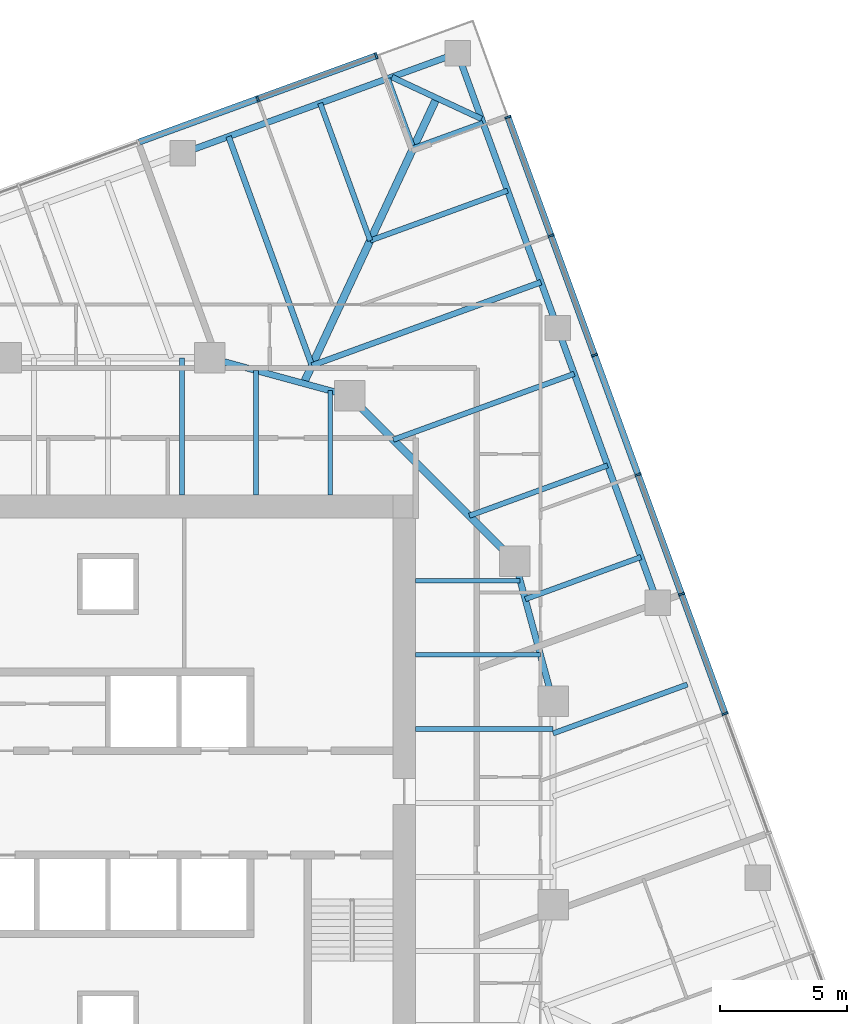
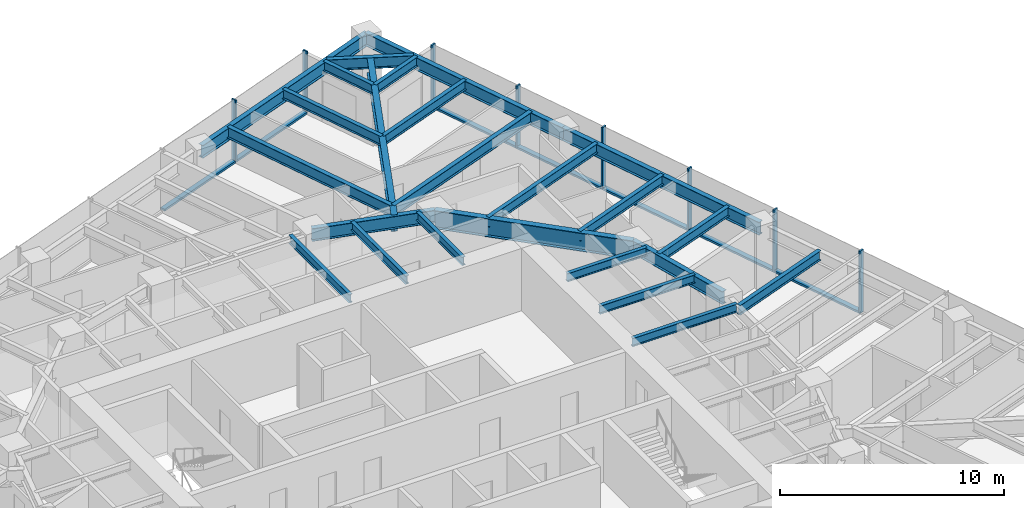
# One storey, part 5 of 13: 24 beams, 15 members, 2 elements without a shape of their own.
"""IFC4 building model written with IfcOpenShell, lengths in metres."""

from ifc_helpers import new_model, si_unit, direction, frame, origin, origin_2d, place, context, subcontext, project, spatial, rectangle, i_section, extrude, material, material_profile, profile_set, type_object, element, aggregate, save


model = new_model("IFC4")

# Units and contexts
model_context = context("Model", 3, precision=1e-05, world=origin(), true_north=direction((0.0, 1.0)))
body_context = subcontext(model_context, "Body", "Model", "MODEL_VIEW")
ifc_project = project(units=[si_unit("LENGTHUNIT", "METRE"), si_unit("AREAUNIT", "SQUARE_METRE"), si_unit("VOLUMEUNIT", "CUBIC_METRE"), si_unit("PLANEANGLEUNIT", "RADIAN"), si_unit("MASSUNIT", "GRAM", prefix="KILO")], contexts=[model_context])

# Site, building, storey
site_placement = place(None, origin())
site = spatial("IfcSite", under=ifc_project, at=site_placement, CompositionType="ELEMENT")
building_placement = place(site_placement, origin())
building = spatial("IfcBuilding", under=site, at=building_placement, Name="Torsade Residences", CompositionType="ELEMENT")
storey_placement = place(building_placement, frame((0.0, 0.0, 154.0)))
storey = spatial("IfcBuildingStorey", under=building, at=storey_placement, Name="L42", CompositionType="ELEMENT", Elevation=154.0)

# Beams
ifc_material_1 = material(Name="Steel grade 300", Category="steel")
ifc_material_profile_1 = material_profile(ifc_material_1, i_section(OverallWidth=0.300048828125, OverallDepth=0.89990234375, WebThickness=0.011962890625, FlangeThickness=0.02490234375, at=origin_2d()), Name="900WB175")
ifc_profile_set_1 = profile_set([ifc_material_profile_1], Name="Steel grade 300")
beam_type_1 = type_object("IfcBeamType", Name="CORNER GIRDER 900WB175", PredefinedType="BEAM", material=ifc_profile_set_1)
beam_1_placement = place(storey_placement, frame((52.924560546875, 57.717041015625, 2.800048828125), z_axis=(-0.422616712682, -0.906308509373, 0.0), x_axis=(0.906308509373, -0.422616712682, 0.0)))
element("IfcBeam", 1, at=beam_1_placement, inside=storey, type_object=beam_type_1, Name="Corner girder 09 L43", PredefinedType="BEAM", context=body_context, shape_type="SweptSolid", body=[
    extrude(i_section(OverallWidth=0.300048828125, OverallDepth=0.89990234375, WebThickness=0.011962890625, FlangeThickness=0.02490234375, at=origin_2d()), origin(), (0.0, 0.0, 1.0), 12.3837890625),
])
ifc_material_2 = material(Name="Steel grade 300", Category="steel")
ifc_material_profile_2 = material_profile(ifc_material_2, i_section(OverallWidth=0.22802734375, OverallDepth=0.60205078125, WebThickness=0.010498046875, FlangeThickness=0.014892578125, FilletRadius=0.013916015625, at=origin_2d()), Name="610UB101")
ifc_profile_set_2 = profile_set([ifc_material_profile_2], Name="Steel grade 300")
beam_type_2 = type_object("IfcBeamType", Name="CORNER TRIMMER 610UB101", PredefinedType="BEAM", material=ifc_profile_set_2)
beam_2_placement = place(storey_placement, frame((51.162353515625, 58.538818359375, 2.948974609375), z_axis=(0.906309798645, -0.422613947806, 0.0), x_axis=(0.422613947806, 0.906309798645, 0.0)))
element("IfcBeam", 2, at=beam_2_placement, inside=storey, type_object=beam_type_2, Name="Corner trimmer 09 L43", PredefinedType="BEAM", context=body_context, shape_type="SweptSolid", body=[
    extrude(i_section(OverallWidth=0.22802734375, OverallDepth=0.60205078125, WebThickness=0.010498046875, FlangeThickness=0.014892578125, FilletRadius=0.013916015625, at=origin_2d()), origin(), (0.0, 0.0, 1.0), 3.888916015625),
])
ifc_material_3 = material(Name="Steel grade 300", Category="steel")
ifc_material_profile_3 = material_profile(ifc_material_3, i_section(OverallWidth=0.25, OverallDepth=0.699951171875, WebThickness=0.010009765625, FlangeThickness=0.02001953125, at=origin_2d()), Name="700WB130")
ifc_profile_set_3 = profile_set([ifc_material_profile_3], Name="Steel grade 300")
beam_type_3 = type_object("IfcBeamType", Name="EDGE BEAM 700WB130", PredefinedType="SPANDREL", material=ifc_profile_set_3)
for number, where, z_axis, x_axis, name in (
    (3, (61.613037109375, 37.866455078125, 2.89990234375), (-0.342031119628, 0.939688625666, 0.0), (-0.939688625666, -0.342031119628, 0.0), "Edge beam 07 L43"),
    (4, (57.6796875, 48.6728515625, 2.89990234375), (-0.342005550448, 0.939697932031, 0.0), (-0.939697932031, -0.342005550448, 0.0), "Edge beam 08 L43"),
):
    element("IfcBeam", number, at=place(storey_placement, frame(where, z_axis=z_axis, x_axis=x_axis)), inside=storey, type_object=beam_type_3, Name=name, PredefinedType="SPANDREL", context=body_context, shape_type="SweptSolid", body=[
        extrude(i_section(OverallWidth=0.25, OverallDepth=0.699951171875, WebThickness=0.010009765625, FlangeThickness=0.02001953125, at=origin_2d()), origin(), (0.0, 0.0, 1.0), 11.5),
    ])
beam_3_placement = place(storey_placement, frame((53.74658203125, 59.4794921875, 2.89990234375), z_axis=(-0.93969110915, -0.342024296483, 0.0), x_axis=(0.342024296483, -0.93969110915, 0.0)))
element("IfcBeam", 5, at=beam_3_placement, inside=storey, type_object=beam_type_3, Name="Edge beam 09 L43", PredefinedType="SPANDREL", context=body_context, shape_type="SweptSolid", body=[
    extrude(i_section(OverallWidth=0.25, OverallDepth=0.699951171875, WebThickness=0.010009765625, FlangeThickness=0.02001953125, at=origin_2d()), origin(), (0.0, 0.0, 1.0), 11.500244140625),
])
ifc_material_4 = material(Name="Steel grade 300", Category="steel")
ifc_material_profile_4 = material_profile(ifc_material_4, i_section(OverallWidth=0.18994140625, OverallDepth=0.4541015625, WebThickness=0.008544921875, FlangeThickness=0.0126953125, FilletRadius=0.011474609375, at=origin_2d()), Name="460UB67.1")
ifc_profile_set_4 = profile_set([ifc_material_profile_4], Name="Steel grade 300")
beam_type_4 = type_object("IfcBeamType", Name="INNER FLOOR BEAM 460UB67.1", PredefinedType="JOIST", material=ifc_profile_set_4)
beam_4_placement = place(storey_placement, frame((42.91259765625, 42.10009765625, 3.02294921875), z_axis=(0.0, 1.0, 0.0), x_axis=(-1.0, 0.0, 0.0)))
element("IfcBeam", 6, at=beam_4_placement, inside=storey, type_object=beam_type_4, Name="Inner floor beam IN05 L43", PredefinedType="JOIST", context=body_context, shape_type="SweptSolid", body=[
    extrude(i_section(OverallWidth=0.18994140625, OverallDepth=0.4541015625, WebThickness=0.008544921875, FlangeThickness=0.0126953125, FilletRadius=0.011474609375, at=origin_2d()), origin(), (0.0, 0.0, 1.0), 5.39990234375),
])
beam_5_placement = place(storey_placement, frame((45.824951171875, 42.10009765625, 3.02294921875), z_axis=(0.0, 1.0, 0.0), x_axis=(-1.0, 0.0, 0.0)))
element("IfcBeam", 7, at=beam_5_placement, inside=storey, type_object=beam_type_4, Name="Inner floor beam IN06 L43", PredefinedType="JOIST", context=body_context, shape_type="SweptSolid", body=[
    extrude(i_section(OverallWidth=0.18994140625, OverallDepth=0.4541015625, WebThickness=0.008544921875, FlangeThickness=0.0126953125, FilletRadius=0.011474609375, at=origin_2d()), origin(), (0.0, 0.0, 1.0), 4.902099609375),
])
beam_6_placement = place(storey_placement, frame((48.737548828125, 42.10009765625, 3.02294921875), z_axis=(0.0, 1.0, 0.0), x_axis=(-1.0, 0.0, 0.0)))
element("IfcBeam", 8, at=beam_6_placement, inside=storey, type_object=beam_type_4, Name="Inner floor beam IN07 L43", PredefinedType="JOIST", context=body_context, shape_type="SweptSolid", body=[
    extrude(i_section(OverallWidth=0.18994140625, OverallDepth=0.4541015625, WebThickness=0.008544921875, FlangeThickness=0.0126953125, FilletRadius=0.011474609375, at=origin_2d()), origin(), (0.0, 0.0, 1.0), 4.10791015625),
])
beam_7_placement = place(storey_placement, frame((52.10009765625, 32.91259765625, 3.02294921875), z_axis=(1.0, 0.0, 0.0), x_axis=(0.0, 1.0, 0.0)))
element("IfcBeam", 9, at=beam_7_placement, inside=storey, type_object=beam_type_4, Name="Inner floor beam IE05 L43", PredefinedType="JOIST", context=body_context, shape_type="SweptSolid", body=[
    extrude(i_section(OverallWidth=0.18994140625, OverallDepth=0.4541015625, WebThickness=0.008544921875, FlangeThickness=0.0126953125, FilletRadius=0.011474609375, at=origin_2d()), origin(), (0.0, 0.0, 1.0), 5.39990234375),
])
beam_8_placement = place(storey_placement, frame((52.10009765625, 35.824951171875, 3.02294921875), z_axis=(1.0, 0.0, 0.0), x_axis=(0.0, 1.0, 0.0)))
element("IfcBeam", 10, at=beam_8_placement, inside=storey, type_object=beam_type_4, Name="Inner floor beam IE06 L43", PredefinedType="JOIST", context=body_context, shape_type="SweptSolid", body=[
    extrude(i_section(OverallWidth=0.18994140625, OverallDepth=0.4541015625, WebThickness=0.008544921875, FlangeThickness=0.0126953125, FilletRadius=0.011474609375, at=origin_2d()), origin(), (0.0, 0.0, 1.0), 4.902099609375),
])
beam_9_placement = place(storey_placement, frame((52.10009765625, 38.737548828125, 3.02294921875), z_axis=(1.0, 0.0, 0.0), x_axis=(0.0, 1.0, 0.0)))
element("IfcBeam", 11, at=beam_9_placement, inside=storey, type_object=beam_type_4, Name="Inner floor beam IE07 L43", PredefinedType="JOIST", context=body_context, shape_type="SweptSolid", body=[
    extrude(i_section(OverallWidth=0.18994140625, OverallDepth=0.4541015625, WebThickness=0.008544921875, FlangeThickness=0.0126953125, FilletRadius=0.011474609375, at=origin_2d()), origin(), (0.0, 0.0, 1.0), 4.10791015625),
])

# Curtain wall, members
ifc_material_5 = material(Name="Aluminium and glass", Category="aluminium")
curtain_wall_type = type_object("IfcCurtainWallType", Name="FRITTED GLASS CURTAIN WALL MID ZONE", PredefinedType="NOTDEFINED", material=ifc_material_5)
curtain_wall_1_placement = place(storey_placement, origin())
curtain_wall_1 = element("IfcCurtainWall", 12, at=curtain_wall_1_placement, inside=storey, type_object=curtain_wall_type, Name="Curtain wall L42 face 4", PredefinedType="NOTDEFINED")
ifc_material_6 = material(Name="Aluminium mullion", Category="aluminium")
ifc_material_profile_5 = material_profile(ifc_material_6, rectangle(XDim=0.25, YDim=0.080078125, at=origin_2d()), Name="MID ZONE CURTAIN WALL MULLION 250x80")
ifc_profile_set_5 = profile_set([ifc_material_profile_5], Name="Aluminium mullion")
member_type_1 = type_object("IfcMemberType", Name="MID ZONE CURTAIN WALL MULLION 250x80", PredefinedType="MULLION", material=ifc_profile_set_5)
member_1_placement = place(storey_placement, frame((64.2626953125, 33.510009765625, 0.0), z_axis=(0.0, 0.0, 1.0), x_axis=(-0.939692619132, -0.342020147869, 0.0)))
member_1 = element("IfcMember", 13, at=member_1_placement, type_object=member_type_1, Name="Mullion 4", PredefinedType="MULLION", context=body_context, shape_type="SweptSolid", body=[
    extrude(rectangle(XDim=0.25, YDim=0.080078125, at=origin_2d()), origin(), (0.0, 0.0, 1.0), 3.39990234375),
])
member_2_placement = place(storey_placement, frame((62.552734375, 38.20849609375, 0.0), z_axis=(0.0, 0.0, 1.0), x_axis=(-0.939692619132, -0.342020147869, 0.0)))
member_2 = element("IfcMember", 14, at=member_2_placement, type_object=member_type_1, Name="Mullion 5", PredefinedType="MULLION", context=body_context, shape_type="SweptSolid", body=[
    extrude(rectangle(XDim=0.25, YDim=0.080078125, at=origin_2d()), origin(), (0.0, 0.0, 1.0), 3.39990234375),
])
member_3_placement = place(storey_placement, frame((60.842529296875, 42.906982421875, 0.0), z_axis=(0.0, 0.0, 1.0), x_axis=(-0.939692619132, -0.342020147869, 0.0)))
member_3 = element("IfcMember", 15, at=member_3_placement, type_object=member_type_1, Name="Mullion 6", PredefinedType="MULLION", context=body_context, shape_type="SweptSolid", body=[
    extrude(rectangle(XDim=0.25, YDim=0.080078125, at=origin_2d()), origin(), (0.0, 0.0, 1.0), 3.39990234375),
])
member_4_placement = place(storey_placement, frame((59.13232421875, 47.60546875, 0.0), z_axis=(0.0, 0.0, 1.0), x_axis=(-0.939692619132, -0.342020147869, 0.0)))
member_4 = element("IfcMember", 16, at=member_4_placement, type_object=member_type_1, Name="Mullion 7", PredefinedType="MULLION", context=body_context, shape_type="SweptSolid", body=[
    extrude(rectangle(XDim=0.25, YDim=0.080078125, at=origin_2d()), origin(), (0.0, 0.0, 1.0), 3.39990234375),
])
member_5_placement = place(storey_placement, frame((57.42236328125, 52.303955078125, 0.0), z_axis=(0.0, 0.0, 1.0), x_axis=(-0.939692619132, -0.342020147869, 0.0)))
member_5 = element("IfcMember", 17, at=member_5_placement, type_object=member_type_1, Name="Mullion 8", PredefinedType="MULLION", context=body_context, shape_type="SweptSolid", body=[
    extrude(rectangle(XDim=0.25, YDim=0.080078125, at=origin_2d()), origin(), (0.0, 0.0, 1.0), 3.39990234375),
])
member_6_placement = place(storey_placement, frame((55.725830078125, 56.96484375, 0.0), z_axis=(0.0, 0.0, 1.0), x_axis=(-0.939692619132, -0.342020147869, 0.0)))
member_6 = element("IfcMember", 18, at=member_6_placement, type_object=member_type_1, Name="Mullion 9", PredefinedType="MULLION", context=body_context, shape_type="SweptSolid", body=[
    extrude(rectangle(XDim=0.25, YDim=0.080078125, at=origin_2d()), origin(), (0.0, 0.0, 1.0), 3.39990234375),
])

curtain_wall_2_placement = place(storey_placement, origin())
curtain_wall_2 = element("IfcCurtainWall", 19, at=curtain_wall_2_placement, inside=storey, type_object=curtain_wall_type, Name="Curtain wall L42 face 7", PredefinedType="NOTDEFINED")
member_7_placement = place(storey_placement, frame((50.5478515625, 59.37939453125, 0.0), z_axis=(0.0, 0.0, 1.0), x_axis=(0.342020147869, -0.939692619132, 0.0)))
member_7 = element("IfcMember", 20, at=member_7_placement, type_object=member_type_1, Name="Mullion 1", PredefinedType="MULLION", context=body_context, shape_type="SweptSolid", body=[
    extrude(rectangle(XDim=0.25, YDim=0.080078125, at=origin_2d()), origin(), (0.0, 0.0, 1.0), 3.39990234375),
])
member_8_placement = place(storey_placement, frame((45.886962890625, 57.682861328125, 0.0), z_axis=(0.0, 0.0, 1.0), x_axis=(0.342020147869, -0.939692619132, 0.0)))
member_8 = element("IfcMember", 21, at=member_8_placement, type_object=member_type_1, Name="Mullion 2", PredefinedType="MULLION", context=body_context, shape_type="SweptSolid", body=[
    extrude(rectangle(XDim=0.25, YDim=0.080078125, at=origin_2d()), origin(), (0.0, 0.0, 1.0), 3.39990234375),
])

# Member
ifc_material_7 = material(Name="Aluminium transom", Category="aluminium")
ifc_material_profile_6 = material_profile(ifc_material_7, rectangle(XDim=0.25, YDim=0.110107421875, at=origin_2d()), Name="MID ZONE CURTAIN WALL TRANSOM 250x110")
ifc_profile_set_6 = profile_set([ifc_material_profile_6], Name="Aluminium transom")
member_type_2 = type_object("IfcMemberType", Name="MID ZONE CURTAIN WALL TRANSOM 250x110", PredefinedType="USERDEFINED", material=ifc_profile_set_6)
member_9_placement = place(storey_placement, frame((64.2490234375, 33.547607421875, 0.054931640625), z_axis=(-0.341998044792, 0.9397006637, 0.0), x_axis=(-0.9397006637, -0.341998044792, 0.0)))
member_9 = element("IfcMember", 22, at=member_9_placement, type_object=member_type_2, Name="Transom 4.1", ObjectType="TRANSOM", PredefinedType="USERDEFINED", context=body_context, shape_type="SweptSolid", body=[
    extrude(rectangle(XDim=0.25, YDim=0.110107421875, at=origin_2d()), origin(), (0.0, 0.0, 1.0), 4.919921875),
])

member_10_placement = place(storey_placement, frame((62.5390625, 38.24609375, 0.054931640625), z_axis=(-0.342041862168, 0.93968471549, 0.0), x_axis=(-0.93968471549, -0.342041862168, 0.0)))
member_10 = element("IfcMember", 23, at=member_10_placement, type_object=member_type_2, Name="Transom 5.1", ObjectType="TRANSOM", PredefinedType="USERDEFINED", context=body_context, shape_type="SweptSolid", body=[
    extrude(rectangle(XDim=0.25, YDim=0.110107421875, at=origin_2d()), origin(), (0.0, 0.0, 1.0), 4.920166015625),
])

member_11_placement = place(storey_placement, frame((60.828857421875, 42.944580078125, 0.054931640625), z_axis=(-0.342041862168, 0.93968471549, 0.0), x_axis=(-0.93968471549, -0.342041862168, 0.0)))
member_11 = element("IfcMember", 24, at=member_11_placement, type_object=member_type_2, Name="Transom 6.1", ObjectType="TRANSOM", PredefinedType="USERDEFINED", context=body_context, shape_type="SweptSolid", body=[
    extrude(rectangle(XDim=0.25, YDim=0.110107421875, at=origin_2d()), origin(), (0.0, 0.0, 1.0), 4.920166015625),
])

member_12_placement = place(storey_placement, frame((59.11865234375, 47.64306640625, 0.054931640625), z_axis=(-0.341998044792, 0.9397006637, 0.0), x_axis=(-0.9397006637, -0.341998044792, 0.0)))
member_12 = element("IfcMember", 25, at=member_12_placement, type_object=member_type_2, Name="Transom 7.1", ObjectType="TRANSOM", PredefinedType="USERDEFINED", context=body_context, shape_type="SweptSolid", body=[
    extrude(rectangle(XDim=0.25, YDim=0.110107421875, at=origin_2d()), origin(), (0.0, 0.0, 1.0), 4.919921875),
])

member_13_placement = place(storey_placement, frame((57.40869140625, 52.341552734375, 0.054931640625), z_axis=(-0.342044311564, 0.939683823915, 0.0), x_axis=(-0.939683823915, -0.342044311564, 0.0)))
member_13 = element("IfcMember", 26, at=member_13_placement, type_object=member_type_2, Name="Transom 8.1", ObjectType="TRANSOM", PredefinedType="USERDEFINED", context=body_context, shape_type="SweptSolid", body=[
    extrude(rectangle(XDim=0.25, YDim=0.110107421875, at=origin_2d()), origin(), (0.0, 0.0, 1.0), 4.880126953125),
])

aggregate(curtain_wall_1, [member_1, member_2, member_3, member_4, member_5, member_6, member_9, member_10, member_11, member_12, member_13])

member_14_placement = place(storey_placement, frame((50.51025390625, 59.36572265625, 0.054931640625), z_axis=(-0.939683823915, -0.342044311564, 0.0), x_axis=(0.342044311564, -0.939683823915, 0.0)))
member_14 = element("IfcMember", 27, at=member_14_placement, type_object=member_type_2, Name="Transom 1.1", ObjectType="TRANSOM", PredefinedType="USERDEFINED", context=body_context, shape_type="SweptSolid", body=[
    extrude(rectangle(XDim=0.25, YDim=0.110107421875, at=origin_2d()), origin(), (0.0, 0.0, 1.0), 4.880126953125),
])

member_15_placement = place(storey_placement, frame((45.849365234375, 57.669189453125, 0.054931640625), z_axis=(-0.9397006637, -0.341998044792, 0.0), x_axis=(0.341998044792, -0.9397006637, 0.0)))
member_15 = element("IfcMember", 28, at=member_15_placement, type_object=member_type_2, Name="Transom 2.1", ObjectType="TRANSOM", PredefinedType="USERDEFINED", context=body_context, shape_type="SweptSolid", body=[
    extrude(rectangle(XDim=0.25, YDim=0.110107421875, at=origin_2d()), origin(), (0.0, 0.0, 1.0), 4.919921875),
])

aggregate(curtain_wall_2, [member_7, member_8, member_14, member_15])

# Beams
ifc_material_8 = material(Name="Steel grade 300", Category="steel")
ifc_material_profile_7 = material_profile(ifc_material_8, i_section(OverallWidth=0.300048828125, OverallDepth=1.0, WebThickness=0.01611328125, FlangeThickness=0.028076171875, at=origin_2d()), Name="1000WB215")
ifc_profile_set_7 = profile_set([ifc_material_profile_7], Name="Steel grade 300")
beam_type_5 = type_object("IfcBeamType", Name="RING CORNER GIRDER 1000WB215", PredefinedType="BEAM", material=ifc_profile_set_7)
beam_10_placement = place(storey_placement, frame((56.0, 39.5, 2.75), z_axis=(-0.707106781187, 0.707106781187, 0.0), x_axis=(-0.707106781187, -0.707106781187, 0.0)))
element("IfcBeam", 29, at=beam_10_placement, inside=storey, type_object=beam_type_5, Name="Ring girder IR03 L43", PredefinedType="BEAM", context=body_context, shape_type="SweptSolid", body=[
    extrude(i_section(OverallWidth=0.300048828125, OverallDepth=1.0, WebThickness=0.01611328125, FlangeThickness=0.028076171875, at=origin_2d()), origin(), (0.0, 0.0, 1.0), 9.1923828125),
])
ifc_material_9 = material(Name="Steel grade 300", Category="steel")
ifc_material_profile_8 = material_profile(ifc_material_9, i_section(OverallWidth=0.25, OverallDepth=0.699951171875, WebThickness=0.010009765625, FlangeThickness=0.02001953125, at=origin_2d()), Name="700WB130")
ifc_profile_set_8 = profile_set([ifc_material_profile_8], Name="Steel grade 300")
beam_type_6 = type_object("IfcBeamType", Name="RING GIRDER 700WB130", PredefinedType="BEAM", material=ifc_profile_set_8)
for number, where, z_axis, x_axis, name in (
    (30, (57.5, 34.0, 2.89990234375), (-0.263117405792, 0.964763821238, 0.0), (-0.964763821238, -0.263117405792, 0.0), "Ring girder IR02 L43"),
    (31, (49.5, 46.0, 2.89990234375), (-0.964763821238, 0.263117405792, 0.0), (-0.263117405792, -0.964763821238, 0.0), "Ring girder IR04 L43"),
):
    element("IfcBeam", number, at=place(storey_placement, frame(where, z_axis=z_axis, x_axis=x_axis)), inside=storey, type_object=beam_type_6, Name=name, PredefinedType="BEAM", context=body_context, shape_type="SweptSolid", body=[
        extrude(i_section(OverallWidth=0.25, OverallDepth=0.699951171875, WebThickness=0.010009765625, FlangeThickness=0.02001953125, at=origin_2d()), origin(), (0.0, 0.0, 1.0), 5.700927734375),
    ])
ifc_material_10 = material(Name="Steel grade 300", Category="steel")
ifc_material_profile_9 = material_profile(ifc_material_10, i_section(OverallWidth=0.208984375, OverallDepth=0.528076171875, WebThickness=0.009521484375, FlangeThickness=0.01318359375, FilletRadius=0.013916015625, at=origin_2d()), Name="530UB82.0")
ifc_profile_set_9 = profile_set([ifc_material_profile_9], Name="Steel grade 300")
beam_type_7 = type_object("IfcBeamType", Name="SECONDARY BEAM 530UB82.0", PredefinedType="JOIST", material=ifc_profile_set_9)
beam_11_placement = place(storey_placement, frame((62.781494140625, 34.65576171875, 2.986083984375), z_axis=(-0.939703343336, -0.341990681925, 0.0), x_axis=(0.341990681925, -0.939703343336, 0.0)))
element("IfcBeam", 32, at=beam_11_placement, inside=storey, type_object=beam_type_7, Name="Floor beam FE06 L43", PredefinedType="JOIST", context=body_context, shape_type="SweptSolid", body=[
    extrude(i_section(OverallWidth=0.208984375, OverallDepth=0.528076171875, WebThickness=0.009521484375, FlangeThickness=0.01318359375, FilletRadius=0.013916015625, at=origin_2d()), origin(), (0.0, 0.0, 1.0), 5.620361328125),
])
beam_12_placement = place(storey_placement, frame((60.957275390625, 39.66748046875, 2.986083984375), z_axis=(-0.939694777187, -0.342014218604, 0.0), x_axis=(0.342014218604, -0.939694777187, 0.0)))
element("IfcBeam", 33, at=beam_12_placement, inside=storey, type_object=beam_type_7, Name="Floor beam FE07 L43", PredefinedType="JOIST", context=body_context, shape_type="SweptSolid", body=[
    extrude(i_section(OverallWidth=0.208984375, OverallDepth=0.528076171875, WebThickness=0.009521484375, FlangeThickness=0.01318359375, FilletRadius=0.013916015625, at=origin_2d()), origin(), (0.0, 0.0, 1.0), 4.84326171875),
])
beam_13_placement = place(storey_placement, frame((59.646240234375, 43.269775390625, 2.986083984375), z_axis=(-0.939687428295, -0.342034409239, 0.0), x_axis=(0.342034409239, -0.939687428295, 0.0)))
element("IfcBeam", 34, at=beam_13_placement, inside=storey, type_object=beam_type_7, Name="Floor beam FE08 L43", PredefinedType="JOIST", context=body_context, shape_type="SweptSolid", body=[
    extrude(i_section(OverallWidth=0.208984375, OverallDepth=0.528076171875, WebThickness=0.009521484375, FlangeThickness=0.01318359375, FilletRadius=0.013916015625, at=origin_2d()), origin(), (0.0, 0.0, 1.0), 5.785888671875),
])
beam_14_placement = place(storey_placement, frame((58.335205078125, 46.871826171875, 2.986083984375), z_axis=(-0.939689847531, -0.342027762686, 0.0), x_axis=(0.342027762686, -0.939689847531, 0.0)))
element("IfcBeam", 35, at=beam_14_placement, inside=storey, type_object=beam_type_7, Name="Floor beam FE09 L43", PredefinedType="JOIST", context=body_context, shape_type="SweptSolid", body=[
    extrude(i_section(OverallWidth=0.208984375, OverallDepth=0.528076171875, WebThickness=0.009521484375, FlangeThickness=0.01318359375, FilletRadius=0.013916015625, at=origin_2d()), origin(), (0.0, 0.0, 1.0), 7.573486328125),
])
beam_15_placement = place(storey_placement, frame((55.713134765625, 54.076171875, 2.986083984375), z_axis=(-0.939697932031, -0.342005550448, 0.0), x_axis=(0.342005550448, -0.939697932031, 0.0)))
element("IfcBeam", 36, at=beam_15_placement, inside=storey, type_object=beam_type_7, Name="Floor beam FE11 L43", PredefinedType="JOIST", context=body_context, shape_type="SweptSolid", body=[
    extrude(i_section(OverallWidth=0.208984375, OverallDepth=0.528076171875, WebThickness=0.009521484375, FlangeThickness=0.01318359375, FilletRadius=0.013916015625, at=origin_2d()), origin(), (0.0, 0.0, 1.0), 5.75),
])
for number, where, z_axis, x_axis, name in (
    (37, (54.744140625, 56.738525390625, 2.986083984375), (-0.939700524495, -0.341998427281, 0.0), (0.341998427281, -0.939700524495, 0.0), "Floor beam FE12 L43"),
    (38, (51.005615234375, 58.48193359375, 2.986083984375), (0.341998427281, -0.939700524495, 0.0), (0.939700524495, 0.341998427281, 0.0), "Floor beam FN01 L43"),
):
    element("IfcBeam", number, at=place(storey_placement, frame(where, z_axis=z_axis, x_axis=x_axis)), inside=storey, type_object=beam_type_7, Name=name, PredefinedType="JOIST", context=body_context, shape_type="SweptSolid", body=[
        extrude(i_section(OverallWidth=0.208984375, OverallDepth=0.528076171875, WebThickness=0.009521484375, FlangeThickness=0.01318359375, FilletRadius=0.013916015625, at=origin_2d()), origin(), (0.0, 0.0, 1.0), 2.916748046875),
    ])
beam_16_placement = place(storey_placement, frame((48.34326171875, 57.5126953125, 2.986083984375), z_axis=(0.342019196443, -0.939692965423, 0.0), x_axis=(0.939692965423, 0.342019196443, 0.0)))
element("IfcBeam", 39, at=beam_16_placement, inside=storey, type_object=beam_type_7, Name="Floor beam FN02 L43", PredefinedType="JOIST", context=body_context, shape_type="SweptSolid", body=[
    extrude(i_section(OverallWidth=0.208984375, OverallDepth=0.528076171875, WebThickness=0.009521484375, FlangeThickness=0.01318359375, FilletRadius=0.013916015625, at=origin_2d()), origin(), (0.0, 0.0, 1.0), 5.749755859375),
])
ifc_material_11 = material(Name="Steel grade 300", Category="steel")
ifc_material_profile_10 = material_profile(ifc_material_11, i_section(OverallWidth=0.22900390625, OverallDepth=0.612060546875, WebThickness=0.011962890625, FlangeThickness=0.01953125, FilletRadius=0.013916015625, at=origin_2d()), Name="610UB125")
ifc_profile_set_10 = profile_set([ifc_material_profile_10], Name="Steel grade 300")
beam_type_8 = type_object("IfcBeamType", Name="SECONDARY BEAM 610UB125", PredefinedType="JOIST", material=ifc_profile_set_10)
for number, where, z_axis, x_axis, name in (
    (40, (57.024169921875, 50.47412109375, 2.944091796875), (-0.939687757725, -0.342033504181, 0.0), (0.342033504181, -0.939687757725, 0.0), "Floor beam FE10 L43"),
    (41, (44.740966796875, 56.20166015625, 2.944091796875), (0.342033504181, -0.939687757725, 0.0), (0.939687757725, 0.342033504181, 0.0), "Floor beam FN03 L43"),
):
    element("IfcBeam", number, at=place(storey_placement, frame(where, z_axis=z_axis, x_axis=x_axis)), inside=storey, type_object=beam_type_8, Name=name, PredefinedType="JOIST", context=body_context, shape_type="SweptSolid", body=[
        extrude(i_section(OverallWidth=0.22900390625, OverallDepth=0.612060546875, WebThickness=0.011962890625, FlangeThickness=0.01953125, FilletRadius=0.013916015625, at=origin_2d()), origin(), (0.0, 0.0, 1.0), 9.583251953125),
    ])

save(model, "model.ifc")
